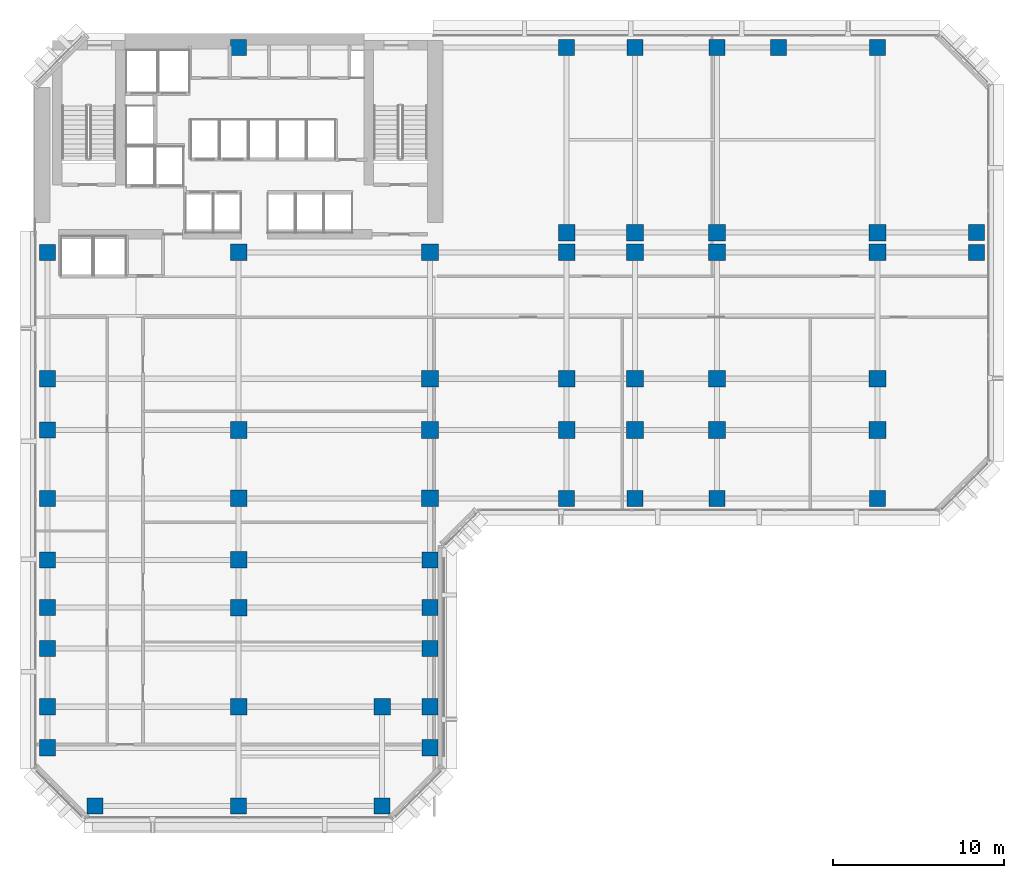
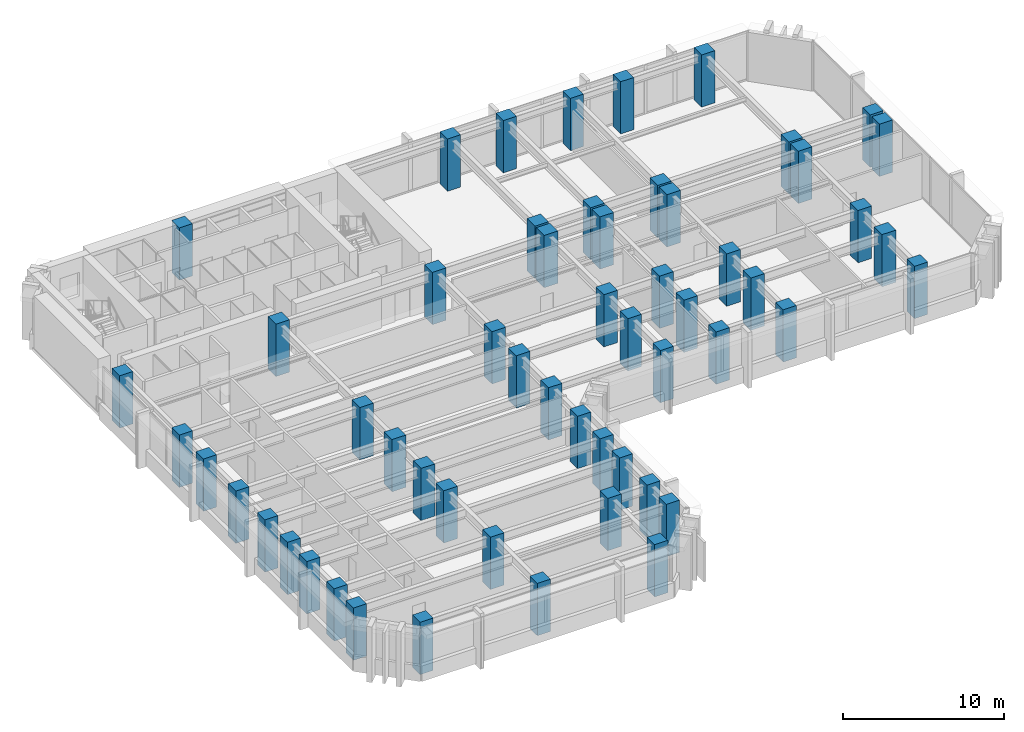
# One storey, part 1 of 14: 56 columns.
"""IFC4 building model written with IfcOpenShell, lengths in metres."""

from ifc_helpers import new_model, si_unit, direction, frame, origin, origin_2d, place, context, subcontext, project, spatial, rectangle, extrude, material, material_profile, profile_set, type_object, element, save


model = new_model("IFC4")

# Units and contexts
model_context = context("Model", 3, precision=1e-05, world=origin(), true_north=direction((0.0, 1.0)))
body_context = subcontext(model_context, "Body", "Model", "MODEL_VIEW")
ifc_project = project(units=[si_unit("LENGTHUNIT", "METRE"), si_unit("AREAUNIT", "SQUARE_METRE"), si_unit("VOLUMEUNIT", "CUBIC_METRE"), si_unit("PLANEANGLEUNIT", "RADIAN"), si_unit("MASSUNIT", "GRAM", prefix="KILO")], contexts=[model_context])

# Site, building, storey
site_placement = place(None, origin())
site = spatial("IfcSite", under=ifc_project, at=site_placement, CompositionType="ELEMENT")
building_placement = place(site_placement, origin())
building = spatial("IfcBuilding", under=site, at=building_placement, Name="Kefirva Bronze Tower", CompositionType="ELEMENT")
storey_placement = place(building_placement, frame((0.0, 0.0, 34.320068359375)))
storey = spatial("IfcBuildingStorey", under=building, at=storey_placement, Name="L07", CompositionType="ELEMENT", Elevation=34.320068359375)

# Columns
ifc_material = material(Name="Concrete C60/75", Category="concrete")
ifc_material_profile_1 = material_profile(ifc_material, rectangle(XDim=0.93994140625, YDim=0.93994140625, at=origin_2d()), Name="RC 940x940")
ifc_profile_set_1 = profile_set([ifc_material_profile_1], Name="Concrete C60/75")
column_type_1 = type_object("IfcColumnType", Name="RC Column 940x940 Ext", PredefinedType="COLUMN", material=ifc_profile_set_1)
for number, where, z_axis, x_axis, name in (
    (1, (0.800048828125, 4.199951171875, 0.0), (0.0, 0.0, 1.0), (1.0, 0.0, 0.0), "L07 Column C008_042"),
    (2, (0.800048828125, 6.60009765625, 0.0), (0.0, 0.0, 1.0), (1.0, 0.0, 0.0), "L07 Column C008_066"),
    (3, (0.800048828125, 10.0, 0.0), (0.0, 0.0, 1.0), (1.0, 0.0, 0.0), "L07 Column C008_100"),
    (4, (0.800048828125, 12.39990234375, 0.0), (0.0, 0.0, 1.0), (1.0, 0.0, 0.0), "L07 Column C008_124"),
    (5, (0.800048828125, 15.199951171875, 0.0), (0.0, 0.0, 1.0), (1.0, 0.0, 0.0), "L07 Column C008_152"),
    (6, (0.800048828125, 18.800048828125, 0.0), (0.0, 0.0, 1.0), (1.0, 0.0, 0.0), "L07 Column C008_188"),
    (7, (0.800048828125, 22.800048828125, 0.0), (0.0, 0.0, 1.0), (1.0, 0.0, 0.0), "L07 Column C008_228"),
    (8, (0.800048828125, 25.800048828125, 0.0), (0.0, 0.0, 1.0), (1.0, 0.0, 0.0), "L07 Column C008_258"),
    (9, (0.800048828125, 33.199951171875, 0.0), (0.0, 0.0, 1.0), (1.0, 0.0, 0.0), "L07 Column C008_332"),
    (10, (3.60009765625, 0.800048828125, 0.0), (0.0, 0.0, 1.0), (1.0, 0.0, 0.0), "L07 Column C036_008"),
    (11, (12.0, 0.800048828125, 0.0), (0.0, 0.0, 1.0), (1.0, 0.0, 0.0), "L07 Column C120_008"),
    (12, (12.0, 45.199951171875, 0.0), (0.0, 0.0, 1.0), (1.0, 0.0, 0.0), "L07 Column C120_452"),
    (13, (20.39990234375, 0.800048828125, 0.0), (0.0, 0.0, 1.0), (1.0, 0.0, 0.0), "L07 Column C204_008"),
    (14, (23.199951171875, 4.199951171875, 0.0), (0.0, 0.0, 1.0), (1.0, 0.0, 0.0), "L07 Column C232_042"),
    (15, (23.199951171875, 6.60009765625, 0.0), (0.0, 0.0, 1.0), (1.0, 0.0, 0.0), "L07 Column C232_066"),
    (16, (23.199951171875, 10.0, 0.0), (0.0, 0.0, 1.0), (1.0, 0.0, 0.0), "L07 Column C232_100"),
    (17, (23.199951171875, 12.39990234375, 0.0), (0.0, 0.0, 1.0), (1.0, 0.0, 0.0), "L07 Column C232_124"),
    (18, (23.199951171875, 15.199951171875, 0.0), (0.0, 0.0, 1.0), (1.0, 0.0, 0.0), "L07 Column C232_152"),
    (19, (31.199951171875, 18.800048828125, 0.0), (0.0, 0.0, 1.0), (1.0, 0.0, 0.0), "L07 Column C312_188"),
    (20, (31.199951171875, 45.199951171875, 0.0), (0.0, 0.0, 1.0), (1.0, 0.0, 0.0), "L07 Column C312_452"),
    (21, (35.199951171875, 18.800048828125, 0.0), (0.0, 0.0, 1.0), (1.0, 0.0, 0.0), "L07 Column C352_188"),
    (22, (35.199951171875, 45.199951171875, 0.0), (0.0, 0.0, 1.0), (1.0, 0.0, 0.0), "L07 Column C352_452"),
    (23, (40.0, 18.800048828125, 0.0), (0.0, 0.0, 1.0), (1.0, 0.0, 0.0), "L07 Column C400_188"),
    (24, (40.0, 45.199951171875, 0.0), (0.0, 0.0, 1.0), (1.0, 0.0, 0.0), "L07 Column C400_452"),
    (25, (43.60009765625, 45.199951171875, 0.0), (0.0, 0.0, 1.0), (1.0, 0.0, 0.0), "L07 Column C436_452"),
    (26, (49.39990234375, 18.800048828125, 0.0), (0.0, 0.0, 1.0), (1.0, 0.0, 0.0), "L07 Column C494_188"),
    (27, (49.39990234375, 45.199951171875, 0.0), (0.0, 0.0, 1.0), (1.0, 0.0, 0.0), "L07 Column C494_452"),
    (28, (55.199951171875, 33.199951171875, 0.0), (0.0, 0.0, 1.0), (1.0, 0.0, 0.0), "L07 Column C552_332"),
    (29, (55.199951171875, 34.35009765625, 0.0), (0.0, 0.0, 1.0), (1.0, 0.0, 0.0), "L07 Column C552_344"),
):
    element("IfcColumn", number, at=place(storey_placement, frame(where, z_axis=z_axis, x_axis=x_axis)), inside=storey, type_object=column_type_1, Name=name, PredefinedType="COLUMN", context=body_context, shape_type="SweptSolid", body=[
        extrude(rectangle(XDim=0.93994140625, YDim=0.93994140625, at=origin_2d()), origin(), (0.0, 0.0, 1.0), 3.9599609375),
    ])
ifc_material_profile_2 = material_profile(ifc_material, rectangle(XDim=0.97998046875, YDim=0.97998046875, at=origin_2d()), Name="RC 980x980")
ifc_profile_set_2 = profile_set([ifc_material_profile_2], Name="Concrete C60/75")
column_type_2 = type_object("IfcColumnType", Name="RC Column 980x980 Int", PredefinedType="COLUMN", material=ifc_profile_set_2)
for number, where, z_axis, x_axis, name in (
    (30, (12.0, 6.60009765625, 0.0), (0.0, 0.0, 1.0), (1.0, 0.0, 0.0), "L07 Column C120_066"),
    (31, (12.0, 12.39990234375, 0.0), (0.0, 0.0, 1.0), (1.0, 0.0, 0.0), "L07 Column C120_124"),
    (32, (12.0, 15.199951171875, 0.0), (0.0, 0.0, 1.0), (1.0, 0.0, 0.0), "L07 Column C120_152"),
    (33, (12.0, 18.800048828125, 0.0), (0.0, 0.0, 1.0), (1.0, 0.0, 0.0), "L07 Column C120_188"),
    (34, (12.0, 22.800048828125, 0.0), (0.0, 0.0, 1.0), (1.0, 0.0, 0.0), "L07 Column C120_228"),
    (35, (12.0, 33.199951171875, 0.0), (0.0, 0.0, 1.0), (1.0, 0.0, 0.0), "L07 Column C120_332"),
    (36, (20.39990234375, 6.60009765625, 0.0), (0.0, 0.0, 1.0), (1.0, 0.0, 0.0), "L07 Column C204_066"),
    (37, (23.199951171875, 18.800048828125, 0.0), (0.0, 0.0, 1.0), (1.0, 0.0, 0.0), "L07 Column C232_188"),
    (38, (23.199951171875, 22.800048828125, 0.0), (0.0, 0.0, 1.0), (1.0, 0.0, 0.0), "L07 Column C232_228"),
    (39, (23.199951171875, 25.800048828125, 0.0), (0.0, 0.0, 1.0), (1.0, 0.0, 0.0), "L07 Column C232_258"),
    (40, (23.199951171875, 33.199951171875, 0.0), (0.0, 0.0, 1.0), (1.0, 0.0, 0.0), "L07 Column C232_332"),
    (41, (31.199951171875, 22.800048828125, 0.0), (0.0, 0.0, 1.0), (1.0, 0.0, 0.0), "L07 Column C312_228"),
    (42, (31.199951171875, 25.800048828125, 0.0), (0.0, 0.0, 1.0), (1.0, 0.0, 0.0), "L07 Column C312_258"),
    (43, (31.199951171875, 33.199951171875, 0.0), (0.0, 0.0, 1.0), (1.0, 0.0, 0.0), "L07 Column C312_332"),
    (44, (31.199951171875, 34.35009765625, 0.0), (0.0, 0.0, 1.0), (1.0, 0.0, 0.0), "L07 Column C312_344"),
    (45, (35.199951171875, 22.800048828125, 0.0), (0.0, 0.0, 1.0), (1.0, 0.0, 0.0), "L07 Column C352_228"),
    (46, (35.199951171875, 25.800048828125, 0.0), (0.0, 0.0, 1.0), (1.0, 0.0, 0.0), "L07 Column C352_258"),
    (47, (35.199951171875, 33.199951171875, 0.0), (0.0, 0.0, 1.0), (1.0, 0.0, 0.0), "L07 Column C352_332"),
    (48, (35.199951171875, 34.35009765625, 0.0), (0.0, 0.0, 1.0), (1.0, 0.0, 0.0), "L07 Column C352_344"),
    (49, (40.0, 22.800048828125, 0.0), (0.0, 0.0, 1.0), (1.0, 0.0, 0.0), "L07 Column C400_228"),
    (50, (40.0, 25.800048828125, 0.0), (0.0, 0.0, 1.0), (1.0, 0.0, 0.0), "L07 Column C400_258"),
    (51, (40.0, 33.199951171875, 0.0), (0.0, 0.0, 1.0), (1.0, 0.0, 0.0), "L07 Column C400_332"),
    (52, (40.0, 34.35009765625, 0.0), (0.0, 0.0, 1.0), (1.0, 0.0, 0.0), "L07 Column C400_344"),
    (53, (49.39990234375, 22.800048828125, 0.0), (0.0, 0.0, 1.0), (1.0, 0.0, 0.0), "L07 Column C494_228"),
    (54, (49.39990234375, 25.800048828125, 0.0), (0.0, 0.0, 1.0), (1.0, 0.0, 0.0), "L07 Column C494_258"),
    (55, (49.39990234375, 33.199951171875, 0.0), (0.0, 0.0, 1.0), (1.0, 0.0, 0.0), "L07 Column C494_332"),
    (56, (49.39990234375, 34.35009765625, 0.0), (0.0, 0.0, 1.0), (1.0, 0.0, 0.0), "L07 Column C494_344"),
):
    element("IfcColumn", number, at=place(storey_placement, frame(where, z_axis=z_axis, x_axis=x_axis)), inside=storey, type_object=column_type_2, Name=name, PredefinedType="COLUMN", context=body_context, shape_type="SweptSolid", body=[
        extrude(rectangle(XDim=0.97998046875, YDim=0.97998046875, at=origin_2d()), origin(), (0.0, 0.0, 1.0), 3.9599609375),
    ])

save(model, "model.ifc")
